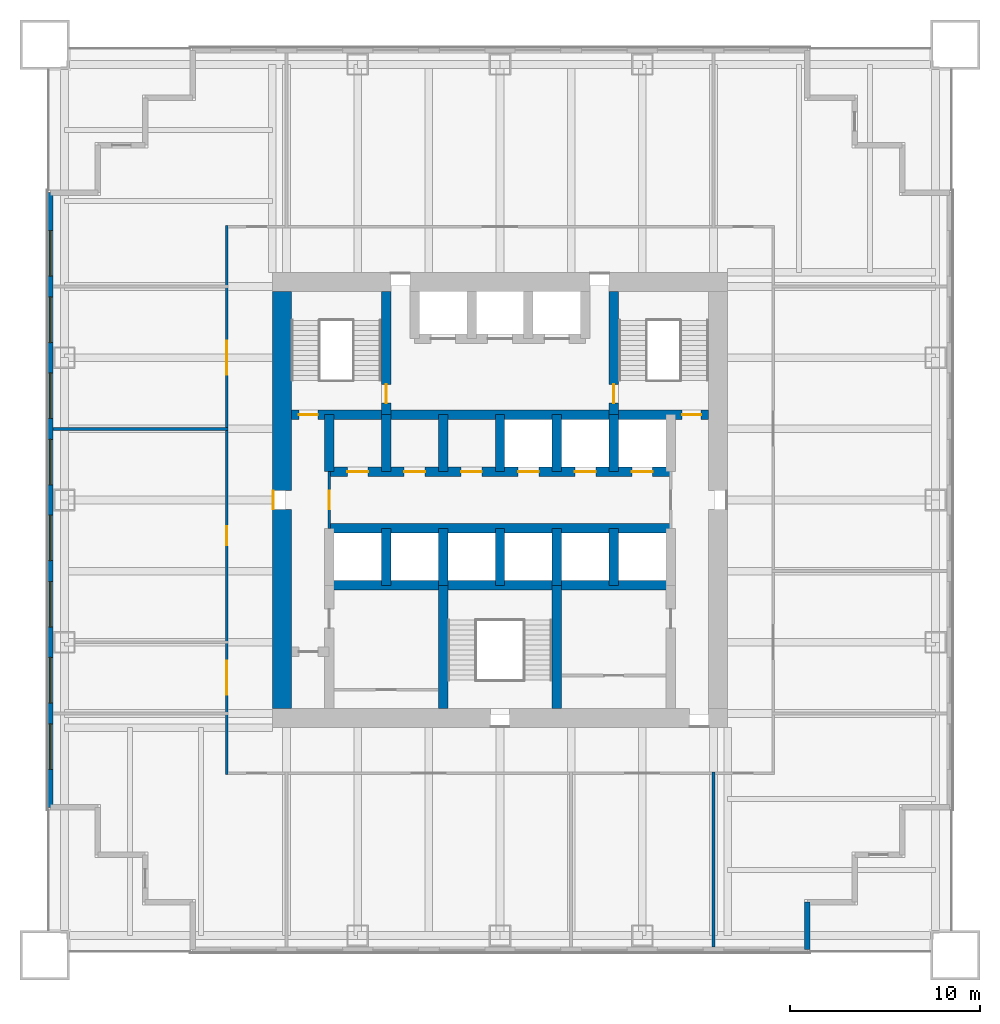
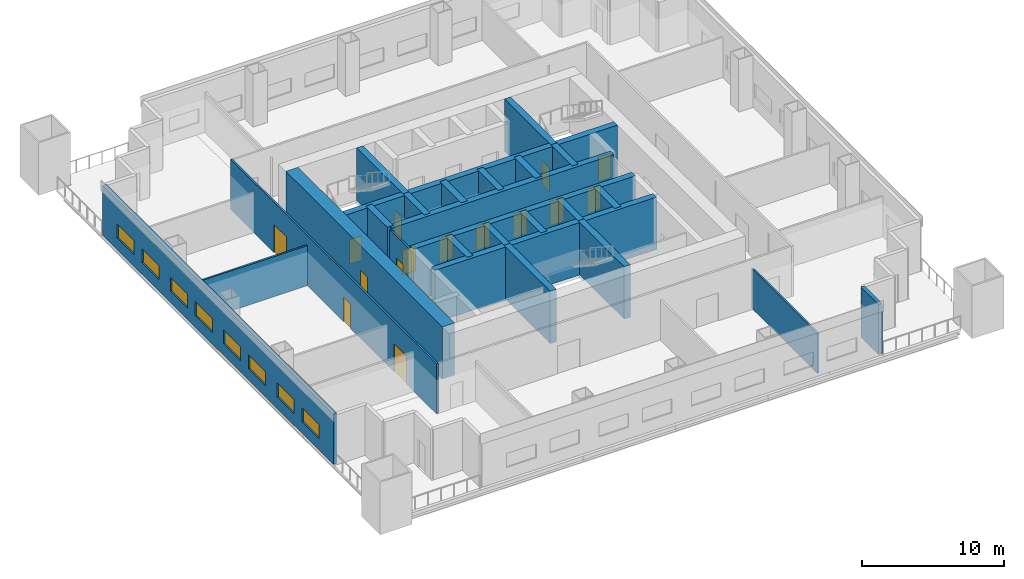
# One storey, part 3 of 6: 26 walls, 15 doors, 8 windows, 23 openings.
"""IFC4 building model written with IfcOpenShell, lengths in metres."""

from ifc_helpers import new_model, si_unit, direction, frame, frame_2d, origin, place, context, subcontext, project, spatial, rectangle, extrude, material, layer, layer_set, type_object, element, fill, save


model = new_model("IFC4")

# Units and contexts
model_context = context("Model", 3, precision=1e-05, world=origin(), true_north=direction((0.0, 1.0)))
body_context = subcontext(model_context, "Body", "Model", "MODEL_VIEW")
ifc_project = project(units=[si_unit("LENGTHUNIT", "METRE"), si_unit("AREAUNIT", "SQUARE_METRE"), si_unit("VOLUMEUNIT", "CUBIC_METRE"), si_unit("PLANEANGLEUNIT", "RADIAN"), si_unit("MASSUNIT", "GRAM", prefix="KILO")], contexts=[model_context])

# Site, building, storey
site_placement = place(None, origin())
site = spatial("IfcSite", under=ifc_project, at=site_placement, CompositionType="ELEMENT")
building_placement = place(site_placement, origin())
building = spatial("IfcBuilding", under=site, at=building_placement, Name="Tarangal Relay Tower", CompositionType="ELEMENT")
storey_placement = place(building_placement, frame((0.0, 0.0, 140.39990234375)))
storey = spatial("IfcBuildingStorey", under=building, at=storey_placement, Name="L28", CompositionType="ELEMENT", Elevation=140.39990234375)

# Wall, openings, doors
ifc_material_1 = material(Name="Concrete fc' 60 MPa", Category="concrete")
ifc_layer_1 = layer(ifc_material_1, 0.5)
ifc_layer_set_1 = layer_set([ifc_layer_1], Name="Core inner wall 500")
wall_type_1 = type_object("IfcWallType", Name="Core inner wall 500", PredefinedType="SHEAR", material=ifc_layer_set_1)
wall_1_placement = place(storey_placement, frame((-11.0, 4.5, 0.0), z_axis=(0.0, 0.0, 1.0), x_axis=(1.0, 0.0, 0.0)))
wall_1 = element("IfcWall", 1, at=wall_1_placement, inside=storey, type_object=wall_type_1, Name="Core wall Y45 L28", PredefinedType="SHEAR", context=body_context, shape_type="SweptSolid", body=[
    extrude(rectangle(XDim=22.0, YDim=0.5, at=frame_2d((11.0, 0.0))), origin(), (0.0, 0.0, 1.0), 4.5),
])
opening_1_placement = place(wall_1_placement, frame((0.39990234375, 0.0, 0.0)))
opening_1 = element("IfcOpeningElement", 2, at=opening_1_placement, cuts=wall_1, Name="Opening FD1", PredefinedType="OPENING", context=body_context, shape_type="SweptSolid", body=[
    extrude(rectangle(XDim=1.0, YDim=2.10009765625, at=frame_2d((0.5, 1.050048828125))), frame((0.0, 0.260009765625, 0.0), z_axis=(0.0, -1.0, 0.0), x_axis=(1.0, 0.0, 0.0)), (0.0, 0.0, 1.0), 0.52001953125),
])
opening_2_placement = place(wall_1_placement, frame((20.60009765625, 0.0, 0.0)))
opening_2 = element("IfcOpeningElement", 3, at=opening_2_placement, cuts=wall_1, Name="Opening FD1", PredefinedType="OPENING", context=body_context, shape_type="SweptSolid", body=[
    extrude(rectangle(XDim=1.0, YDim=2.10009765625, at=frame_2d((0.5, 1.050048828125))), frame((0.0, 0.260009765625, 0.0), z_axis=(0.0, -1.0, 0.0), x_axis=(1.0, 0.0, 0.0)), (0.0, 0.0, 1.0), 0.52001953125),
])
ifc_material_2 = material(Name="Steel door with hardwood frame", Category="steel")
door_type_1 = type_object("IfcDoorType", Name="Fire door 1000 x 2100", OperationType="SINGLE_SWING_LEFT", PredefinedType="DOOR", material=ifc_material_2)
door_1_placement = place(opening_1_placement, origin())
door_1 = element("IfcDoor", 4, at=door_1_placement, inside=storey, type_object=door_type_1, Name="Stair ST-A door from corridor L28", OperationType="SINGLE_SWING_LEFT", OverallHeight=2.10009765625, OverallWidth=1.0, PredefinedType="DOOR", context=body_context, shape_type="SweptSolid", body=[
    extrude(rectangle(XDim=1.0, YDim=2.10009765625, at=frame_2d((0.5, 1.050048828125))), frame((0.0, 0.02490234375, 0.0), z_axis=(0.0, -1.0, 0.0), x_axis=(1.0, 0.0, 0.0)), (0.0, 0.0, 1.0), 0.050048828125),
])
fill(opening_1, door_1)
door_2_placement = place(opening_2_placement, origin())
door_2 = element("IfcDoor", 5, at=door_2_placement, inside=storey, type_object=door_type_1, Name="Stair ST-B door from corridor L28", OperationType="SINGLE_SWING_LEFT", OverallHeight=2.10009765625, OverallWidth=1.0, PredefinedType="DOOR", context=body_context, shape_type="SweptSolid", body=[
    extrude(rectangle(XDim=1.0, YDim=2.10009765625, at=frame_2d((0.5, 1.050048828125))), frame((0.0, 0.02490234375, 0.0), z_axis=(0.0, -1.0, 0.0), x_axis=(1.0, 0.0, 0.0)), (0.0, 0.0, 1.0), 0.050048828125),
])
fill(opening_2, door_2)

wall_2_placement = place(storey_placement, frame((-9.0, 1.5, 0.0), z_axis=(0.0, 0.0, 1.0), x_axis=(1.0, 0.0, 0.0)))
wall_2 = element("IfcWall", 6, at=wall_2_placement, inside=storey, type_object=wall_type_1, Name="Core wall Y15 L28", PredefinedType="SHEAR", context=body_context, shape_type="SweptSolid", body=[
    extrude(rectangle(XDim=18.0, YDim=0.5, at=frame_2d((9.0, 0.0))), origin(), (0.0, 0.0, 1.0), 4.5),
])
opening_3_placement = place(wall_2_placement, frame((9.949951171875, 0.0, 0.0)))
opening_3 = element("IfcOpeningElement", 7, at=opening_3_placement, cuts=wall_2, Name="Opening LD1", PredefinedType="OPENING", context=body_context, shape_type="SweptSolid", body=[
    extrude(rectangle(XDim=1.10009765625, YDim=2.10009765625, at=frame_2d((0.550048828125, 1.050048828125))), frame((0.0, 0.260009765625, 0.0), z_axis=(0.0, -1.0, 0.0), x_axis=(1.0, 0.0, 0.0)), (0.0, 0.0, 1.0), 0.52001953125),
])
opening_4_placement = place(wall_2_placement, frame((12.949951171875, 0.0, 0.0)))
opening_4 = element("IfcOpeningElement", 8, at=opening_4_placement, cuts=wall_2, Name="Opening LD1", PredefinedType="OPENING", context=body_context, shape_type="SweptSolid", body=[
    extrude(rectangle(XDim=1.10009765625, YDim=2.10009765625, at=frame_2d((0.550048828125, 1.050048828125))), frame((0.0, 0.260009765625, 0.0), z_axis=(0.0, -1.0, 0.0), x_axis=(1.0, 0.0, 0.0)), (0.0, 0.0, 1.0), 0.52001953125),
])
opening_5_placement = place(wall_2_placement, frame((15.949951171875, 0.0, 0.0)))
opening_5 = element("IfcOpeningElement", 9, at=opening_5_placement, cuts=wall_2, Name="Opening LD1", PredefinedType="OPENING", context=body_context, shape_type="SweptSolid", body=[
    extrude(rectangle(XDim=1.10009765625, YDim=2.10009765625, at=frame_2d((0.550048828125, 1.050048828125))), frame((0.0, 0.260009765625, 0.0), z_axis=(0.0, -1.0, 0.0), x_axis=(1.0, 0.0, 0.0)), (0.0, 0.0, 1.0), 0.52001953125),
])
opening_6_placement = place(wall_2_placement, frame((0.949951171875, 0.0, 0.0)))
opening_6 = element("IfcOpeningElement", 10, at=opening_6_placement, cuts=wall_2, Name="Opening D4", PredefinedType="OPENING", context=body_context, shape_type="SweptSolid", body=[
    extrude(rectangle(XDim=1.10009765625, YDim=2.10009765625, at=frame_2d((0.550048828125, 1.050048828125))), frame((0.0, 0.260009765625, 0.0), z_axis=(0.0, -1.0, 0.0), x_axis=(1.0, 0.0, 0.0)), (0.0, 0.0, 1.0), 0.52001953125),
])
opening_7_placement = place(wall_2_placement, frame((3.949951171875, 0.0, 0.0)))
opening_7 = element("IfcOpeningElement", 11, at=opening_7_placement, cuts=wall_2, Name="Opening D4", PredefinedType="OPENING", context=body_context, shape_type="SweptSolid", body=[
    extrude(rectangle(XDim=1.10009765625, YDim=2.10009765625, at=frame_2d((0.550048828125, 1.050048828125))), frame((0.0, 0.260009765625, 0.0), z_axis=(0.0, -1.0, 0.0), x_axis=(1.0, 0.0, 0.0)), (0.0, 0.0, 1.0), 0.52001953125),
])
opening_8_placement = place(wall_2_placement, frame((6.949951171875, 0.0, 0.0)))
opening_8 = element("IfcOpeningElement", 12, at=opening_8_placement, cuts=wall_2, Name="Opening D4", PredefinedType="OPENING", context=body_context, shape_type="SweptSolid", body=[
    extrude(rectangle(XDim=1.10009765625, YDim=2.10009765625, at=frame_2d((0.550048828125, 1.050048828125))), frame((0.0, 0.260009765625, 0.0), z_axis=(0.0, -1.0, 0.0), x_axis=(1.0, 0.0, 0.0)), (0.0, 0.0, 1.0), 0.52001953125),
])
door_type_2 = type_object("IfcDoorType", Name="Core room door 1100 x 2100", OperationType="SINGLE_SWING_RIGHT", PredefinedType="DOOR", material=ifc_material_2)
door_3_placement = place(opening_6_placement, origin())
door_3 = element("IfcDoor", 13, at=door_3_placement, inside=storey, type_object=door_type_2, Name="Door D4 to cleaner's store L28-D1", OperationType="SINGLE_SWING_RIGHT", OverallHeight=2.10009765625, OverallWidth=1.10009765625, PredefinedType="DOOR", context=body_context, shape_type="SweptSolid", body=[
    extrude(rectangle(XDim=1.10009765625, YDim=2.10009765625, at=frame_2d((0.550048828125, 1.050048828125))), frame((0.0, 0.02490234375, 0.0), z_axis=(0.0, -1.0, 0.0), x_axis=(1.0, 0.0, 0.0)), (0.0, 0.0, 1.0), 0.050048828125),
])
fill(opening_6, door_3)
door_4_placement = place(opening_7_placement, origin())
door_4 = element("IfcDoor", 14, at=door_4_placement, inside=storey, type_object=door_type_2, Name="Door D4 to it room L28-D2", OperationType="SINGLE_SWING_RIGHT", OverallHeight=2.10009765625, OverallWidth=1.10009765625, PredefinedType="DOOR", context=body_context, shape_type="SweptSolid", body=[
    extrude(rectangle(XDim=1.10009765625, YDim=2.10009765625, at=frame_2d((0.550048828125, 1.050048828125))), frame((0.0, 0.02490234375, 0.0), z_axis=(0.0, -1.0, 0.0), x_axis=(1.0, 0.0, 0.0)), (0.0, 0.0, 1.0), 0.050048828125),
])
fill(opening_7, door_4)
door_5_placement = place(opening_8_placement, origin())
door_5 = element("IfcDoor", 15, at=door_5_placement, inside=storey, type_object=door_type_2, Name="Door D4 to back-of-house plant room L28-D3", OperationType="SINGLE_SWING_RIGHT", OverallHeight=2.10009765625, OverallWidth=1.10009765625, PredefinedType="DOOR", context=body_context, shape_type="SweptSolid", body=[
    extrude(rectangle(XDim=1.10009765625, YDim=2.10009765625, at=frame_2d((0.550048828125, 1.050048828125))), frame((0.0, 0.02490234375, 0.0), z_axis=(0.0, -1.0, 0.0), x_axis=(1.0, 0.0, 0.0)), (0.0, 0.0, 1.0), 0.050048828125),
])
fill(opening_8, door_5)
door_type_3 = type_object("IfcDoorType", Name="Lift landing door 1100 x 2100", OperationType="SLIDING_TO_LEFT", PredefinedType="DOOR", material=ifc_material_2)
door_6_placement = place(opening_3_placement, origin())
door_6 = element("IfcDoor", 16, at=door_6_placement, inside=storey, type_object=door_type_3, Name="Lift T1 landing door L28", OperationType="SLIDING_TO_LEFT", OverallHeight=2.10009765625, OverallWidth=1.10009765625, PredefinedType="DOOR", context=body_context, shape_type="SweptSolid", body=[
    extrude(rectangle(XDim=1.10009765625, YDim=2.10009765625, at=frame_2d((0.550048828125, 1.050048828125))), frame((0.0, 0.02490234375, 0.0), z_axis=(0.0, -1.0, 0.0), x_axis=(1.0, 0.0, 0.0)), (0.0, 0.0, 1.0), 0.050048828125),
])
fill(opening_3, door_6)
door_7_placement = place(opening_4_placement, origin())
door_7 = element("IfcDoor", 17, at=door_7_placement, inside=storey, type_object=door_type_3, Name="Lift T2 landing door L28", OperationType="SLIDING_TO_LEFT", OverallHeight=2.10009765625, OverallWidth=1.10009765625, PredefinedType="DOOR", context=body_context, shape_type="SweptSolid", body=[
    extrude(rectangle(XDim=1.10009765625, YDim=2.10009765625, at=frame_2d((0.550048828125, 1.050048828125))), frame((0.0, 0.02490234375, 0.0), z_axis=(0.0, -1.0, 0.0), x_axis=(1.0, 0.0, 0.0)), (0.0, 0.0, 1.0), 0.050048828125),
])
fill(opening_4, door_7)
door_8_placement = place(opening_5_placement, origin())
door_8 = element("IfcDoor", 18, at=door_8_placement, inside=storey, type_object=door_type_3, Name="Lift T3 landing door L28", OperationType="SLIDING_TO_LEFT", OverallHeight=2.10009765625, OverallWidth=1.10009765625, PredefinedType="DOOR", context=body_context, shape_type="SweptSolid", body=[
    extrude(rectangle(XDim=1.10009765625, YDim=2.10009765625, at=frame_2d((0.550048828125, 1.050048828125))), frame((0.0, 0.02490234375, 0.0), z_axis=(0.0, -1.0, 0.0), x_axis=(1.0, 0.0, 0.0)), (0.0, 0.0, 1.0), 0.050048828125),
])
fill(opening_5, door_8)

# Walls
for number, where, z_axis, x_axis, name in (
    (19, (-9.0, -1.5, 0.0), (0.0, 0.0, 1.0), (1.0, 0.0, 0.0), "Core wall YM15 L28"),
    (20, (-9.0, -4.5, 0.0), (0.0, 0.0, 1.0), (1.0, 0.0, 0.0), "Core wall YM45 L28"),
):
    element("IfcWall", number, at=place(storey_placement, frame(where, z_axis=z_axis, x_axis=x_axis)), inside=storey, type_object=wall_type_1, Name=name, PredefinedType="SHEAR", context=body_context, shape_type="SweptSolid", body=[
        extrude(rectangle(XDim=18.0, YDim=0.5, at=frame_2d((9.0, 0.0))), origin(), (0.0, 0.0, 1.0), 4.5),
    ])
for number, where, z_axis, x_axis, name in (
    (21, (-9.0, 1.5, 0.0), (0.0, 0.0, 1.0), (0.0, 1.0, 0.0), "Core wall XM9N L28"),
    (22, (-6.0, 1.5, 0.0), (0.0, 0.0, 1.0), (0.0, 1.0, 0.0), "Core wall XM6N L28"),
    (23, (-3.0, 1.5, 0.0), (0.0, 0.0, 1.0), (0.0, 1.0, 0.0), "Core wall XM3N L28"),
    (24, (0.0, 1.5, 0.0), (0.0, 0.0, 1.0), (0.0, 1.0, 0.0), "Core wall X0N L28"),
    (25, (3.0, 1.5, 0.0), (0.0, 0.0, 1.0), (0.0, 1.0, 0.0), "Core wall X3N L28"),
    (26, (6.0, 1.5, 0.0), (0.0, 0.0, 1.0), (0.0, 1.0, 0.0), "Core wall X6N L28"),
    (27, (-6.0, -4.5, 0.0), (0.0, 0.0, 1.0), (0.0, 1.0, 0.0), "Core wall XM6S L28"),
    (28, (-3.0, -4.5, 0.0), (0.0, 0.0, 1.0), (0.0, 1.0, 0.0), "Core wall XM3S L28"),
    (29, (0.0, -4.5, 0.0), (0.0, 0.0, 1.0), (0.0, 1.0, 0.0), "Core wall X0S L28"),
    (30, (3.0, -4.5, 0.0), (0.0, 0.0, 1.0), (0.0, 1.0, 0.0), "Core wall X3S L28"),
    (31, (6.0, -4.5, 0.0), (0.0, 0.0, 1.0), (0.0, 1.0, 0.0), "Core wall X6S L28"),
):
    element("IfcWall", number, at=place(storey_placement, frame(where, z_axis=z_axis, x_axis=x_axis)), inside=storey, type_object=wall_type_1, Name=name, PredefinedType="SHEAR", context=body_context, shape_type="SweptSolid", body=[
        extrude(rectangle(XDim=3.0, YDim=0.5, at=frame_2d((1.5, 0.0))), origin(), (0.0, 0.0, 1.0), 4.5),
    ])

# Wall, opening, door
wall_3_placement = place(storey_placement, frame((-6.0, 4.5, 0.0), z_axis=(0.0, 0.0, 1.0), x_axis=(0.0, 1.0, 0.0)))
wall_3 = element("IfcWall", 32, at=wall_3_placement, inside=storey, type_object=wall_type_1, Name="Core wall XM6 L28", PredefinedType="SHEAR", context=body_context, shape_type="SweptSolid", body=[
    extrude(rectangle(XDim=6.5, YDim=0.5, at=frame_2d((3.25, 0.0))), origin(), (0.0, 0.0, 1.0), 4.5),
])
opening_9_placement = place(wall_3_placement, frame((0.60009765625, 0.0, 0.0)))
opening_9 = element("IfcOpeningElement", 33, at=opening_9_placement, cuts=wall_3, Name="Opening FD1", PredefinedType="OPENING", context=body_context, shape_type="SweptSolid", body=[
    extrude(rectangle(XDim=1.0, YDim=2.10009765625, at=frame_2d((0.5, 1.050048828125))), frame((0.0, 0.260009765625, 0.0), z_axis=(0.0, -1.0, 0.0), x_axis=(1.0, 0.0, 0.0)), (0.0, 0.0, 1.0), 0.52001953125),
])
door_9_placement = place(opening_9_placement, origin())
door_9 = element("IfcDoor", 34, at=door_9_placement, inside=storey, type_object=door_type_1, Name="Stair ST-A door from fire-fighting lobby L28", OperationType="SINGLE_SWING_LEFT", OverallHeight=2.10009765625, OverallWidth=1.0, PredefinedType="DOOR", context=body_context, shape_type="SweptSolid", body=[
    extrude(rectangle(XDim=1.0, YDim=2.10009765625, at=frame_2d((0.5, 1.050048828125))), frame((0.0, 0.02490234375, 0.0), z_axis=(0.0, -1.0, 0.0), x_axis=(1.0, 0.0, 0.0)), (0.0, 0.0, 1.0), 0.050048828125),
])
fill(opening_9, door_9)

wall_4_placement = place(storey_placement, frame((6.0, 4.5, 0.0), z_axis=(0.0, 0.0, 1.0), x_axis=(0.0, 1.0, 0.0)))
wall_4 = element("IfcWall", 35, at=wall_4_placement, inside=storey, type_object=wall_type_1, Name="Core wall X6 L28", PredefinedType="SHEAR", context=body_context, shape_type="SweptSolid", body=[
    extrude(rectangle(XDim=6.5, YDim=0.5, at=frame_2d((3.25, 0.0))), origin(), (0.0, 0.0, 1.0), 4.5),
])
opening_10_placement = place(wall_4_placement, frame((0.60009765625, 0.0, 0.0)))
opening_10 = element("IfcOpeningElement", 36, at=opening_10_placement, cuts=wall_4, Name="Opening FD1", PredefinedType="OPENING", context=body_context, shape_type="SweptSolid", body=[
    extrude(rectangle(XDim=1.0, YDim=2.10009765625, at=frame_2d((0.5, 1.050048828125))), frame((0.0, 0.260009765625, 0.0), z_axis=(0.0, -1.0, 0.0), x_axis=(1.0, 0.0, 0.0)), (0.0, 0.0, 1.0), 0.52001953125),
])
door_10_placement = place(opening_10_placement, origin())
door_10 = element("IfcDoor", 37, at=door_10_placement, inside=storey, type_object=door_type_1, Name="Stair ST-B door from fire-fighting lobby L28", OperationType="SINGLE_SWING_LEFT", OverallHeight=2.10009765625, OverallWidth=1.0, PredefinedType="DOOR", context=body_context, shape_type="SweptSolid", body=[
    extrude(rectangle(XDim=1.0, YDim=2.10009765625, at=frame_2d((0.5, 1.050048828125))), frame((0.0, 0.02490234375, 0.0), z_axis=(0.0, -1.0, 0.0), x_axis=(1.0, 0.0, 0.0)), (0.0, 0.0, 1.0), 0.050048828125),
])
fill(opening_10, door_10)

# Walls
for number, where, z_axis, x_axis, name in (
    (38, (-3.0, -11.0, 0.0), (0.0, 0.0, 1.0), (0.0, 1.0, 0.0), "Core wall XM3W L28"),
    (39, (3.0, -11.0, 0.0), (0.0, 0.0, 1.0), (0.0, 1.0, 0.0), "Core wall X3W L28"),
):
    element("IfcWall", number, at=place(storey_placement, frame(where, z_axis=z_axis, x_axis=x_axis)), inside=storey, type_object=wall_type_1, Name=name, PredefinedType="SHEAR", context=body_context, shape_type="SweptSolid", body=[
        extrude(rectangle(XDim=6.5, YDim=0.5, at=frame_2d((3.25, 0.0))), origin(), (0.0, 0.0, 1.0), 4.5),
    ])

# Wall, opening, door
ifc_layer_2 = layer(ifc_material_1, 1.0)
ifc_layer_set_2 = layer_set([ifc_layer_2], Name="Core wall 1000")
wall_type_2 = type_object("IfcWallType", Name="Core wall 1000", PredefinedType="SHEAR", material=ifc_layer_set_2)
wall_5_placement = place(storey_placement, frame((-11.5, -11.0, 0.0), z_axis=(0.0, 0.0, 1.0), x_axis=(0.0, 1.0, 0.0)))
wall_5 = element("IfcWall", 40, at=wall_5_placement, inside=storey, type_object=wall_type_2, Name="Core wall W L28", PredefinedType="SHEAR", context=body_context, shape_type="SweptSolid", body=[
    extrude(rectangle(XDim=22.0, YDim=1.0, at=frame_2d((11.0, 0.0))), origin(), (0.0, 0.0, 1.0), 4.5),
])
opening_11_placement = place(wall_5_placement, frame((10.5, 0.0, 0.0)))
opening_11 = element("IfcOpeningElement", 41, at=opening_11_placement, cuts=wall_5, Name="Opening FD3", PredefinedType="OPENING", context=body_context, shape_type="SweptSolid", body=[
    extrude(rectangle(XDim=1.0, YDim=2.39990234375, at=frame_2d((0.5, 1.199951171875))), frame((0.0, 0.510009765625, 0.0), z_axis=(0.0, -1.0, 0.0), x_axis=(1.0, 0.0, 0.0)), (0.0, 0.0, 1.0), 1.02001953125),
])
door_type_4 = type_object("IfcDoorType", Name="Fire door 1000 x 2400 core entry", OperationType="SINGLE_SWING_RIGHT", PredefinedType="DOOR", material=ifc_material_2)
door_11_placement = place(opening_11_placement, origin())
door_11 = element("IfcDoor", 42, at=door_11_placement, inside=storey, type_object=door_type_4, Name="Core entry door west L28", OperationType="SINGLE_SWING_RIGHT", OverallHeight=2.39990234375, OverallWidth=1.0, PredefinedType="DOOR", context=body_context, shape_type="SweptSolid", body=[
    extrude(rectangle(XDim=1.0, YDim=2.39990234375, at=frame_2d((0.5, 1.199951171875))), frame((0.0, 0.48486328125, 0.0), z_axis=(0.0, -1.0, 0.0), x_axis=(1.0, 0.0, 0.0)), (0.0, 0.0, 1.0), 0.050048828125),
])
fill(opening_11, door_11)

# Wall
ifc_material_3 = material(Name="Insulated precast concrete fc' 40 MPa", Category="concrete")
ifc_layer_3 = layer(ifc_material_3, 0.300048828125)
ifc_layer_set_3 = layer_set([ifc_layer_3], Name="Insulated precast concrete fc' 40 MPa")
wall_type_3 = type_object("IfcWallType", Name="Facade wall precast 300", PredefinedType="SOLIDWALL", material=ifc_layer_set_3)
wall_6_placement = place(storey_placement, frame((16.199951171875, -21.199951171875, 0.0), z_axis=(0.0, 0.0, 1.0), x_axis=(0.0, -1.0, 0.0)))
element("IfcWall", 43, at=wall_6_placement, inside=storey, type_object=wall_type_3, Name="Facade wall E facade L28", PredefinedType="SOLIDWALL", context=body_context, shape_type="SweptSolid", body=[
    extrude(rectangle(XDim=2.5, YDim=0.300048828125, at=frame_2d((1.25, 0.0))), origin(), (0.0, 0.0, 1.0), 4.300048828125),
])

# Wall, openings, windows
wall_7_placement = place(storey_placement, frame((-23.699951171875, -16.199951171875, 0.0), z_axis=(0.0, 0.0, 1.0), x_axis=(0.0, 1.0, 0.0)))
wall_7 = element("IfcWall", 44, at=wall_7_placement, inside=storey, type_object=wall_type_3, Name="Facade wall W facade L28", PredefinedType="SOLIDWALL", context=body_context, shape_type="SweptSolid", body=[
    extrude(rectangle(XDim=32.39990234375, YDim=0.300048828125, at=frame_2d((16.199951171875, 0.0))), origin(), (0.0, 0.0, 1.0), 4.300048828125),
])
opening_12_placement = place(wall_7_placement, frame((2.0, 0.0, 1.0)))
opening_12 = element("IfcOpeningElement", 45, at=opening_12_placement, cuts=wall_7, Name="Opening WN1", PredefinedType="OPENING", context=body_context, shape_type="SweptSolid", body=[
    extrude(rectangle(XDim=2.39990234375, YDim=1.199951171875, at=frame_2d((1.199951171875, 0.60009765625))), frame((0.0, 0.159912109375, 0.0), z_axis=(0.0, -1.0, 0.0), x_axis=(1.0, 0.0, 0.0)), (0.0, 0.0, 1.0), 0.320068359375),
])
opening_13_placement = place(wall_7_placement, frame((5.5, 0.0, 1.0)))
opening_13 = element("IfcOpeningElement", 46, at=opening_13_placement, cuts=wall_7, Name="Opening WN1", PredefinedType="OPENING", context=body_context, shape_type="SweptSolid", body=[
    extrude(rectangle(XDim=2.39990234375, YDim=1.199951171875, at=frame_2d((1.199951171875, 0.60009765625))), frame((0.0, 0.159912109375, 0.0), z_axis=(0.0, -1.0, 0.0), x_axis=(1.0, 0.0, 0.0)), (0.0, 0.0, 1.0), 0.320068359375),
])
opening_14_placement = place(wall_7_placement, frame((9.5, 0.0, 1.0)))
opening_14 = element("IfcOpeningElement", 47, at=opening_14_placement, cuts=wall_7, Name="Opening WN1", PredefinedType="OPENING", context=body_context, shape_type="SweptSolid", body=[
    extrude(rectangle(XDim=2.39990234375, YDim=1.199951171875, at=frame_2d((1.199951171875, 0.60009765625))), frame((0.0, 0.159912109375, 0.0), z_axis=(0.0, -1.0, 0.0), x_axis=(1.0, 0.0, 0.0)), (0.0, 0.0, 1.0), 0.320068359375),
])
opening_15_placement = place(wall_7_placement, frame((13.0, 0.0, 1.0)))
opening_15 = element("IfcOpeningElement", 48, at=opening_15_placement, cuts=wall_7, Name="Opening WN1", PredefinedType="OPENING", context=body_context, shape_type="SweptSolid", body=[
    extrude(rectangle(XDim=2.39990234375, YDim=1.199951171875, at=frame_2d((1.199951171875, 0.60009765625))), frame((0.0, 0.159912109375, 0.0), z_axis=(0.0, -1.0, 0.0), x_axis=(1.0, 0.0, 0.0)), (0.0, 0.0, 1.0), 0.320068359375),
])
opening_16_placement = place(wall_7_placement, frame((17.0, 0.0, 1.0)))
opening_16 = element("IfcOpeningElement", 49, at=opening_16_placement, cuts=wall_7, Name="Opening WN1", PredefinedType="OPENING", context=body_context, shape_type="SweptSolid", body=[
    extrude(rectangle(XDim=2.39990234375, YDim=1.199951171875, at=frame_2d((1.199951171875, 0.60009765625))), frame((0.0, 0.159912109375, 0.0), z_axis=(0.0, -1.0, 0.0), x_axis=(1.0, 0.0, 0.0)), (0.0, 0.0, 1.0), 0.320068359375),
])
opening_17_placement = place(wall_7_placement, frame((20.5, 0.0, 1.0)))
opening_17 = element("IfcOpeningElement", 50, at=opening_17_placement, cuts=wall_7, Name="Opening WN1", PredefinedType="OPENING", context=body_context, shape_type="SweptSolid", body=[
    extrude(rectangle(XDim=2.39990234375, YDim=1.199951171875, at=frame_2d((1.199951171875, 0.60009765625))), frame((0.0, 0.159912109375, 0.0), z_axis=(0.0, -1.0, 0.0), x_axis=(1.0, 0.0, 0.0)), (0.0, 0.0, 1.0), 0.320068359375),
])
opening_18_placement = place(wall_7_placement, frame((24.5, 0.0, 1.0)))
opening_18 = element("IfcOpeningElement", 51, at=opening_18_placement, cuts=wall_7, Name="Opening WN1", PredefinedType="OPENING", context=body_context, shape_type="SweptSolid", body=[
    extrude(rectangle(XDim=2.39990234375, YDim=1.199951171875, at=frame_2d((1.199951171875, 0.60009765625))), frame((0.0, 0.159912109375, 0.0), z_axis=(0.0, -1.0, 0.0), x_axis=(1.0, 0.0, 0.0)), (0.0, 0.0, 1.0), 0.320068359375),
])
opening_19_placement = place(wall_7_placement, frame((28.0, 0.0, 1.0)))
opening_19 = element("IfcOpeningElement", 52, at=opening_19_placement, cuts=wall_7, Name="Opening WN1", PredefinedType="OPENING", context=body_context, shape_type="SweptSolid", body=[
    extrude(rectangle(XDim=2.39990234375, YDim=1.199951171875, at=frame_2d((1.199951171875, 0.60009765625))), frame((0.0, 0.159912109375, 0.0), z_axis=(0.0, -1.0, 0.0), x_axis=(1.0, 0.0, 0.0)), (0.0, 0.0, 1.0), 0.320068359375),
])
ifc_material_4 = material(Name="Dark tinted double glazing in black aluminium frame", Category="aluminium")
window_type = type_object("IfcWindowType", Name="Ribbon window 2400 x 1200", PartitioningType="SINGLE_PANEL", PredefinedType="WINDOW", material=ifc_material_4)
window_1_placement = place(opening_12_placement, origin())
window_1 = element("IfcWindow", 53, at=window_1_placement, inside=storey, type_object=window_type, Name="Ribbon window WN1 W facade L28", OverallHeight=1.199951171875, OverallWidth=2.39990234375, PartitioningType="SINGLE_PANEL", PredefinedType="WINDOW", context=body_context, shape_type="SweptSolid", body=[
    extrude(rectangle(XDim=2.39990234375, YDim=1.199951171875, at=frame_2d((1.199951171875, 0.60009765625))), frame((0.0, 0.030029296875, 0.0), z_axis=(0.0, -1.0, 0.0), x_axis=(1.0, 0.0, 0.0)), (0.0, 0.0, 1.0), 0.06005859375),
])
fill(opening_12, window_1)
window_2_placement = place(opening_13_placement, origin())
window_2 = element("IfcWindow", 54, at=window_2_placement, inside=storey, type_object=window_type, Name="Ribbon window WN1 W facade L28", OverallHeight=1.199951171875, OverallWidth=2.39990234375, PartitioningType="SINGLE_PANEL", PredefinedType="WINDOW", context=body_context, shape_type="SweptSolid", body=[
    extrude(rectangle(XDim=2.39990234375, YDim=1.199951171875, at=frame_2d((1.199951171875, 0.60009765625))), frame((0.0, 0.030029296875, 0.0), z_axis=(0.0, -1.0, 0.0), x_axis=(1.0, 0.0, 0.0)), (0.0, 0.0, 1.0), 0.06005859375),
])
fill(opening_13, window_2)
window_3_placement = place(opening_14_placement, origin())
window_3 = element("IfcWindow", 55, at=window_3_placement, inside=storey, type_object=window_type, Name="Ribbon window WN1 W facade L28", OverallHeight=1.199951171875, OverallWidth=2.39990234375, PartitioningType="SINGLE_PANEL", PredefinedType="WINDOW", context=body_context, shape_type="SweptSolid", body=[
    extrude(rectangle(XDim=2.39990234375, YDim=1.199951171875, at=frame_2d((1.199951171875, 0.60009765625))), frame((0.0, 0.030029296875, 0.0), z_axis=(0.0, -1.0, 0.0), x_axis=(1.0, 0.0, 0.0)), (0.0, 0.0, 1.0), 0.06005859375),
])
fill(opening_14, window_3)
window_4_placement = place(opening_15_placement, origin())
window_4 = element("IfcWindow", 56, at=window_4_placement, inside=storey, type_object=window_type, Name="Ribbon window WN1 W facade L28", OverallHeight=1.199951171875, OverallWidth=2.39990234375, PartitioningType="SINGLE_PANEL", PredefinedType="WINDOW", context=body_context, shape_type="SweptSolid", body=[
    extrude(rectangle(XDim=2.39990234375, YDim=1.199951171875, at=frame_2d((1.199951171875, 0.60009765625))), frame((0.0, 0.030029296875, 0.0), z_axis=(0.0, -1.0, 0.0), x_axis=(1.0, 0.0, 0.0)), (0.0, 0.0, 1.0), 0.06005859375),
])
fill(opening_15, window_4)
window_5_placement = place(opening_16_placement, origin())
window_5 = element("IfcWindow", 57, at=window_5_placement, inside=storey, type_object=window_type, Name="Ribbon window WN1 W facade L28", OverallHeight=1.199951171875, OverallWidth=2.39990234375, PartitioningType="SINGLE_PANEL", PredefinedType="WINDOW", context=body_context, shape_type="SweptSolid", body=[
    extrude(rectangle(XDim=2.39990234375, YDim=1.199951171875, at=frame_2d((1.199951171875, 0.60009765625))), frame((0.0, 0.030029296875, 0.0), z_axis=(0.0, -1.0, 0.0), x_axis=(1.0, 0.0, 0.0)), (0.0, 0.0, 1.0), 0.06005859375),
])
fill(opening_16, window_5)
window_6_placement = place(opening_17_placement, origin())
window_6 = element("IfcWindow", 58, at=window_6_placement, inside=storey, type_object=window_type, Name="Ribbon window WN1 W facade L28", OverallHeight=1.199951171875, OverallWidth=2.39990234375, PartitioningType="SINGLE_PANEL", PredefinedType="WINDOW", context=body_context, shape_type="SweptSolid", body=[
    extrude(rectangle(XDim=2.39990234375, YDim=1.199951171875, at=frame_2d((1.199951171875, 0.60009765625))), frame((0.0, 0.030029296875, 0.0), z_axis=(0.0, -1.0, 0.0), x_axis=(1.0, 0.0, 0.0)), (0.0, 0.0, 1.0), 0.06005859375),
])
fill(opening_17, window_6)
window_7_placement = place(opening_18_placement, origin())
window_7 = element("IfcWindow", 59, at=window_7_placement, inside=storey, type_object=window_type, Name="Ribbon window WN1 W facade L28", OverallHeight=1.199951171875, OverallWidth=2.39990234375, PartitioningType="SINGLE_PANEL", PredefinedType="WINDOW", context=body_context, shape_type="SweptSolid", body=[
    extrude(rectangle(XDim=2.39990234375, YDim=1.199951171875, at=frame_2d((1.199951171875, 0.60009765625))), frame((0.0, 0.030029296875, 0.0), z_axis=(0.0, -1.0, 0.0), x_axis=(1.0, 0.0, 0.0)), (0.0, 0.0, 1.0), 0.06005859375),
])
fill(opening_18, window_7)
window_8_placement = place(opening_19_placement, origin())
window_8 = element("IfcWindow", 60, at=window_8_placement, inside=storey, type_object=window_type, Name="Ribbon window WN1 W facade L28", OverallHeight=1.199951171875, OverallWidth=2.39990234375, PartitioningType="SINGLE_PANEL", PredefinedType="WINDOW", context=body_context, shape_type="SweptSolid", body=[
    extrude(rectangle(XDim=2.39990234375, YDim=1.199951171875, at=frame_2d((1.199951171875, 0.60009765625))), frame((0.0, 0.030029296875, 0.0), z_axis=(0.0, -1.0, 0.0), x_axis=(1.0, 0.0, 0.0)), (0.0, 0.0, 1.0), 0.06005859375),
])
fill(opening_19, window_8)

# Wall
ifc_material_5 = material(Name="Gypsum board on steel studs", Category="steel")
ifc_layer_4 = layer(ifc_material_5, 0.14990234375)
ifc_layer_set_4 = layer_set([ifc_layer_4], Name="Partition 150")
wall_type_4 = type_object("IfcWallType", Name="Partition 150", PredefinedType="PARTITIONING", material=ifc_layer_set_4)
wall_8_placement = place(storey_placement, frame((-23.550048828125, 3.75, 0.0), z_axis=(0.0, 0.0, 1.0), x_axis=(1.0, 0.0, 0.0)))
element("IfcWall", 61, at=wall_8_placement, inside=storey, type_object=wall_type_4, Name="Partition PT1 L28", PredefinedType="PARTITIONING", context=body_context, shape_type="SweptSolid", body=[
    extrude(rectangle(XDim=9.22509765625, YDim=0.14990234375, at=frame_2d((4.612548828125, 0.0))), origin(), (0.0, 0.0, 1.0), 3.431396484375),
])

# Wall, openings, doors
wall_9_placement = place(storey_placement, frame((-14.39990234375, -14.47509765625, 0.0), z_axis=(0.0, 0.0, 1.0), x_axis=(0.0, 1.0, 0.0)))
wall_9 = element("IfcWall", 62, at=wall_9_placement, inside=storey, type_object=wall_type_4, Name="Partition PT1 L28", PredefinedType="PARTITIONING", context=body_context, shape_type="SweptSolid", body=[
    extrude(rectangle(XDim=28.9501953125, YDim=0.14990234375, at=frame_2d((14.47509765625, 0.0))), origin(), (0.0, 0.0, 1.0), 4.300048828125),
])
opening_20_placement = place(wall_9_placement, frame((4.199951171875, 0.0, 0.0)))
opening_20 = element("IfcOpeningElement", 63, at=opening_20_placement, cuts=wall_9, Name="Opening DD1", PredefinedType="OPENING", context=body_context, shape_type="SweptSolid", body=[
    extrude(rectangle(XDim=1.800048828125, YDim=2.39990234375, at=frame_2d((0.89990234375, 1.199951171875))), frame((0.0, 0.0849609375, 0.0), z_axis=(0.0, -1.0, 0.0), x_axis=(1.0, 0.0, 0.0)), (0.0, 0.0, 1.0), 0.169921875),
])
opening_21_placement = place(wall_9_placement, frame((12.10009765625, 0.0, 0.0)))
opening_21 = element("IfcOpeningElement", 64, at=opening_21_placement, cuts=wall_9, Name="Opening D2", PredefinedType="OPENING", context=body_context, shape_type="SweptSolid", body=[
    extrude(rectangle(XDim=1.0, YDim=2.10009765625, at=frame_2d((0.5, 1.050048828125))), frame((0.0, 0.0849609375, 0.0), z_axis=(0.0, -1.0, 0.0), x_axis=(1.0, 0.0, 0.0)), (0.0, 0.0, 1.0), 0.169921875),
])
opening_22_placement = place(wall_9_placement, frame((21.074951171875, 0.0, 0.0)))
opening_22 = element("IfcOpeningElement", 65, at=opening_22_placement, cuts=wall_9, Name="Opening DD1", PredefinedType="OPENING", context=body_context, shape_type="SweptSolid", body=[
    extrude(rectangle(XDim=1.800048828125, YDim=2.39990234375, at=frame_2d((0.89990234375, 1.199951171875))), frame((0.0, 0.0849609375, 0.0), z_axis=(0.0, -1.0, 0.0), x_axis=(1.0, 0.0, 0.0)), (0.0, 0.0, 1.0), 0.169921875),
])
ifc_material_6 = material(Name="Hardwood door", Category="wood")
door_type_5 = type_object("IfcDoorType", Name="Door 1000 x 2100", OperationType="SINGLE_SWING_LEFT", PredefinedType="DOOR", material=ifc_material_6)
door_12_placement = place(opening_21_placement, origin())
door_12 = element("IfcDoor", 66, at=door_12_placement, inside=storey, type_object=door_type_5, Name="Door D2 to carrier office L28-08", OperationType="SINGLE_SWING_LEFT", OverallHeight=2.10009765625, OverallWidth=1.0, PredefinedType="DOOR", context=body_context, shape_type="SweptSolid", body=[
    extrude(rectangle(XDim=1.0, YDim=2.10009765625, at=frame_2d((0.5, 1.050048828125))), frame((0.0, 0.02490234375, 0.0), z_axis=(0.0, -1.0, 0.0), x_axis=(1.0, 0.0, 0.0)), (0.0, 0.0, 1.0), 0.050048828125),
])
fill(opening_21, door_12)
door_type_6 = type_object("IfcDoorType", Name="Equipment double door 1800 x 2400", OperationType="DOUBLE_DOOR_SINGLE_SWING", PredefinedType="DOOR", material=ifc_material_2)
door_13_placement = place(opening_20_placement, origin())
door_13 = element("IfcDoor", 67, at=door_13_placement, inside=storey, type_object=door_type_6, Name="Door DD1 to electrical room L28-07", OperationType="DOUBLE_DOOR_SINGLE_SWING", OverallHeight=2.39990234375, OverallWidth=1.800048828125, PredefinedType="DOOR", context=body_context, shape_type="SweptSolid", body=[
    extrude(rectangle(XDim=1.800048828125, YDim=2.39990234375, at=frame_2d((0.89990234375, 1.199951171875))), frame((0.0, 0.02490234375, 0.0), z_axis=(0.0, -1.0, 0.0), x_axis=(1.0, 0.0, 0.0)), (0.0, 0.0, 1.0), 0.050048828125),
])
fill(opening_20, door_13)
door_14_placement = place(opening_22_placement, origin())
door_14 = element("IfcDoor", 68, at=door_14_placement, inside=storey, type_object=door_type_6, Name="Door DD1 to fibre distribution room L28-09", OperationType="DOUBLE_DOOR_SINGLE_SWING", OverallHeight=2.39990234375, OverallWidth=1.800048828125, PredefinedType="DOOR", context=body_context, shape_type="SweptSolid", body=[
    extrude(rectangle(XDim=1.800048828125, YDim=2.39990234375, at=frame_2d((0.89990234375, 1.199951171875))), frame((0.0, 0.02490234375, 0.0), z_axis=(0.0, -1.0, 0.0), x_axis=(1.0, 0.0, 0.0)), (0.0, 0.0, 1.0), 0.050048828125),
])
fill(opening_22, door_14)

# Wall
wall_10_placement = place(storey_placement, frame((11.25, -23.550048828125, 0.0), z_axis=(0.0, 0.0, 1.0), x_axis=(0.0, 1.0, 0.0)))
element("IfcWall", 69, at=wall_10_placement, inside=storey, type_object=wall_type_4, Name="Partition PT1 L28", PredefinedType="PARTITIONING", context=body_context, shape_type="SweptSolid", body=[
    extrude(rectangle(XDim=9.22509765625, YDim=0.14990234375, at=frame_2d((4.612548828125, 0.0))), origin(), (0.0, 0.0, 1.0), 3.431396484375),
])

# Wall, opening, door
wall_11_placement = place(storey_placement, frame((-9.0, -1.5, 0.0), z_axis=(0.0, 0.0, 1.0), x_axis=(0.0, 1.0, 0.0)))
wall_11 = element("IfcWall", 70, at=wall_11_placement, inside=storey, type_object=wall_type_4, Name="Partition PT1 L28", PredefinedType="PARTITIONING", context=body_context, shape_type="SweptSolid", body=[
    extrude(rectangle(XDim=3.0, YDim=0.14990234375, at=frame_2d((1.5, 0.0))), origin(), (0.0, 0.0, 1.0), 4.25),
])
opening_23_placement = place(wall_11_placement, frame((1.0, 0.0, 0.0)))
opening_23 = element("IfcOpeningElement", 71, at=opening_23_placement, cuts=wall_11, Name="Opening FD3", PredefinedType="OPENING", context=body_context, shape_type="SweptSolid", body=[
    extrude(rectangle(XDim=1.0, YDim=2.39990234375, at=frame_2d((0.5, 1.199951171875))), frame((0.0, 0.0849609375, 0.0), z_axis=(0.0, -1.0, 0.0), x_axis=(1.0, 0.0, 0.0)), (0.0, 0.0, 1.0), 0.169921875),
])
door_15_placement = place(opening_23_placement, origin())
door_15 = element("IfcDoor", 72, at=door_15_placement, inside=storey, type_object=door_type_4, Name="Lift lobby door FD3 to the west corridor L28", OperationType="SINGLE_SWING_RIGHT", OverallHeight=2.39990234375, OverallWidth=1.0, PredefinedType="DOOR", context=body_context, shape_type="SweptSolid", body=[
    extrude(rectangle(XDim=1.0, YDim=2.39990234375, at=frame_2d((0.5, 1.199951171875))), frame((0.0, 0.02490234375, 0.0), z_axis=(0.0, -1.0, 0.0), x_axis=(1.0, 0.0, 0.0)), (0.0, 0.0, 1.0), 0.050048828125),
])
fill(opening_23, door_15)

save(model, "model.ifc")
